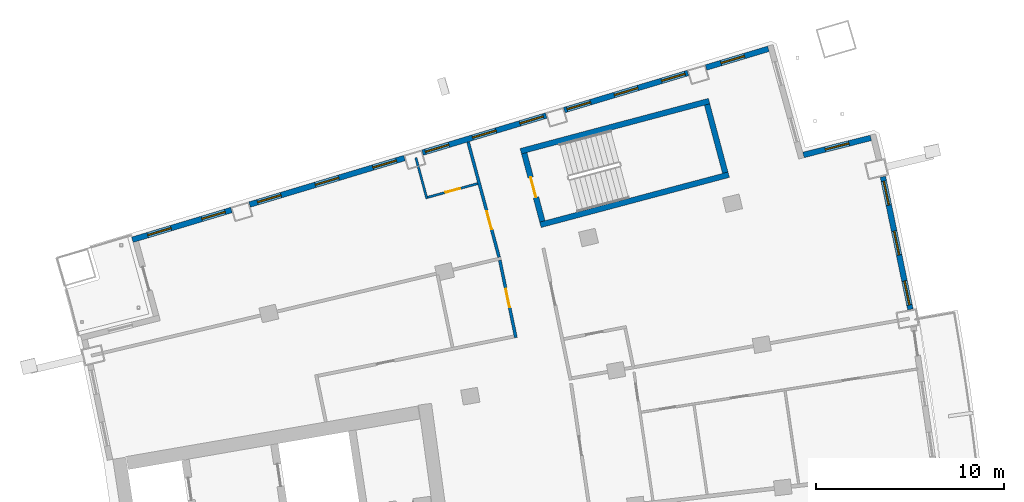
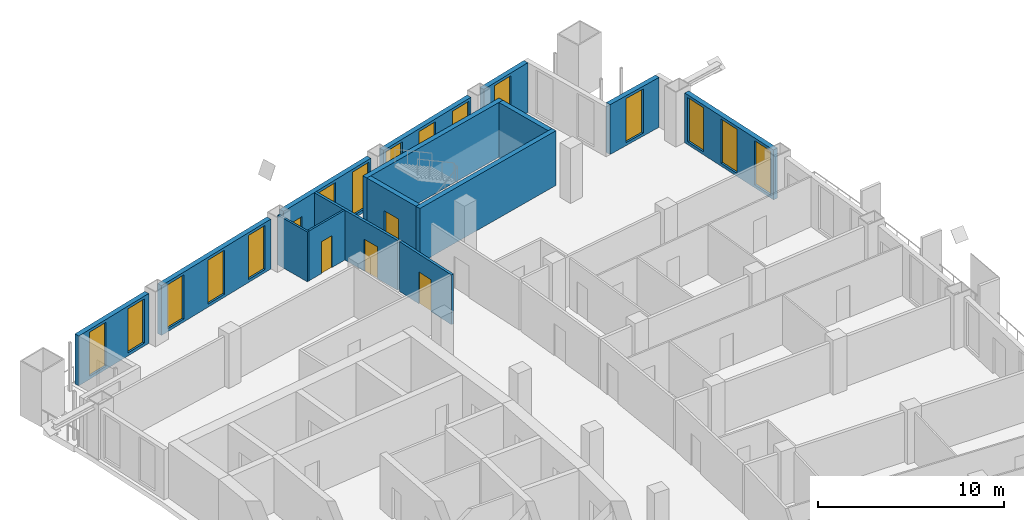
# One storey, part 16 of 20: 16 windows, 15 walls, 4 doors, 20 openings.
"""IFC4 building model written with IfcOpenShell, lengths in metres."""

from ifc_helpers import new_model, si_unit, direction, frame, frame_2d, origin, place, context, subcontext, project, spatial, rectangle, extrude, material, layer, layer_set, type_object, element, fill, save


model = new_model("IFC4")

# Units and contexts
model_context = context("Model", 3, precision=1e-05, world=origin(), true_north=direction((0.0, 1.0)))
body_context = subcontext(model_context, "Body", "Model", "MODEL_VIEW")
ifc_project = project(units=[si_unit("LENGTHUNIT", "METRE"), si_unit("AREAUNIT", "SQUARE_METRE"), si_unit("VOLUMEUNIT", "CUBIC_METRE"), si_unit("PLANEANGLEUNIT", "RADIAN"), si_unit("MASSUNIT", "GRAM", prefix="KILO")], contexts=[model_context])

# Site, building, storey
site_placement = place(None, origin())
site = spatial("IfcSite", under=ifc_project, at=site_placement, CompositionType="ELEMENT")
building_placement = place(site_placement, origin())
building = spatial("IfcBuilding", under=site, at=building_placement, Name="Alderwake Tower", CompositionType="ELEMENT")
storey_placement = place(building_placement, frame((0.0, 0.0, 167.60009765625)))
storey = spatial("IfcBuildingStorey", under=building, at=storey_placement, Name="L41", CompositionType="ELEMENT", Elevation=167.60009765625)

# Walls
ifc_material_1 = material(Name="Concrete C70/85", Category="concrete")
ifc_layer_1 = layer(ifc_material_1, 0.300048828125)
ifc_layer_set_1 = layer_set([ifc_layer_1], Name="Core wall stair enclosure 300 C70-85")
wall_type_1 = type_object("IfcWallType", Name="Core wall stair enclosure 300 C70-85", PredefinedType="SHEAR", material=ifc_layer_set_1)
for number, where, z_axis, x_axis, name in (
    (1, (36.71142578125, 94.182373046875, 0.0), (0.0, 0.0, 1.0), (0.966309214305, 0.257383958996, 0.0), "Core wall CW.082"),
    (2, (37.75390625, 90.268798828125, 0.0), (0.0, 0.0, 1.0), (0.966309214305, 0.257383958996, 0.0), "Core wall CW.084"),
):
    element("IfcWall", number, at=place(storey_placement, frame(where, z_axis=z_axis, x_axis=x_axis)), inside=storey, type_object=wall_type_1, Name=name, PredefinedType="SHEAR", context=body_context, shape_type="SweptSolid", body=[
        extrude(rectangle(XDim=10.360107421875, YDim=0.300048828125, at=frame_2d((5.18017578125, 0.0))), origin(), (0.0, 0.0, 1.0), 3.599853515625),
    ])

# Wall, opening, door
wall_1_placement = place(storey_placement, frame((37.8603515625, 90.452392578125, 0.0), z_axis=(0.0, 0.0, 1.0), x_axis=(-0.257411420208, 0.966301899381, 0.0)))
wall_1 = element("IfcWall", 3, at=wall_1_placement, inside=storey, type_object=wall_type_1, Name="Core wall CW.083", PredefinedType="SHEAR", context=body_context, shape_type="SweptSolid", body=[
    extrude(rectangle(XDim=3.750244140625, YDim=0.300048828125, at=frame_2d((1.875, 0.0))), origin(), (0.0, 0.0, 1.0), 3.599853515625),
])
opening_1_placement = place(wall_1_placement, frame((1.324951171875, 0.0, 0.0)))
opening_1 = element("IfcOpeningElement", 4, at=opening_1_placement, cuts=wall_1, Name="Opening C062", PredefinedType="OPENING", context=body_context, shape_type="SweptSolid", body=[
    extrude(rectangle(XDim=1.10009765625, YDim=2.10009765625, at=frame_2d((0.550048828125, 1.050048828125))), frame((0.0, 0.159912109375, 0.0), z_axis=(0.0, -1.0, 0.0), x_axis=(1.0, 0.0, 0.0)), (0.0, 0.0, 1.0), 0.320068359375),
])
ifc_material_2 = material(Name="Steel-framed fire door leaf", Category="steel")
door_type_1 = type_object("IfcDoorType", Name="Core stair door 1100 fire-rated", OperationType="SINGLE_SWING_LEFT", PredefinedType="DOOR", material=ifc_material_2)
door_1_placement = place(opening_1_placement, origin())
door_1 = element("IfcDoor", 5, at=door_1_placement, inside=storey, type_object=door_type_1, Name="Stair door", OperationType="SINGLE_SWING_LEFT", OverallHeight=2.10009765625, OverallWidth=1.10009765625, PredefinedType="DOOR", context=body_context, shape_type="SweptSolid", body=[
    extrude(rectangle(XDim=1.10009765625, YDim=2.10009765625, at=frame_2d((0.550048828125, 1.050048828125))), frame((0.0, 0.02490234375, 0.0), z_axis=(0.0, -1.0, 0.0), x_axis=(1.0, 0.0, 0.0)), (0.0, 0.0, 1.0), 0.050048828125),
])
fill(opening_1, door_1)

# Wall
wall_2_placement = place(storey_placement, frame((47.581298828125, 93.041748046875, 0.0), z_axis=(0.0, 0.0, 1.0), x_axis=(-0.257366821694, 0.966313778796, 0.0)))
element("IfcWall", 6, at=wall_2_placement, inside=storey, type_object=wall_type_1, Name="Core wall CW.081", PredefinedType="SHEAR", context=body_context, shape_type="SweptSolid", body=[
    extrude(rectangle(XDim=3.749755859375, YDim=0.300048828125, at=frame_2d((1.875, 0.0))), origin(), (0.0, 0.0, 1.0), 3.599853515625),
])

# Wall, opening, door
ifc_material_3 = material(Name="Gypsum board on metal studs, rated")
ifc_layer_2 = layer(ifc_material_3, 0.159912109375)
ifc_layer_set_2 = layer_set([ifc_layer_2], Name="Corridor wall 160")
wall_type_2 = type_object("IfcWallType", Name="Corridor wall 160", PredefinedType="PARTITIONING", material=ifc_layer_set_2)
wall_3_placement = place(storey_placement, frame((35.55908203125, 88.54736328125, 0.0), z_axis=(0.0, 0.0, 1.0), x_axis=(-0.259486497004, 0.965746735885, 0.0)))
wall_3 = element("IfcWall", 7, at=wall_3_placement, inside=storey, type_object=wall_type_2, Name="WL/L41/W15", PredefinedType="PARTITIONING", context=body_context, shape_type="SweptSolid", body=[
    extrude(rectangle(XDim=6.346923828125, YDim=0.159912109375, at=frame_2d((3.17333984375, 0.0))), origin(), (0.0, 0.0, 1.0), 3.27978515625),
])
opening_2_placement = place(wall_3_placement, frame((1.5380859375, 0.0, 0.0)))
opening_2 = element("IfcOpeningElement", 8, at=opening_2_placement, cuts=wall_3, Name="Opening R11-U10.1", PredefinedType="OPENING", context=body_context, shape_type="SweptSolid", body=[
    extrude(rectangle(XDim=1.0, YDim=2.10009765625, at=frame_2d((0.5, 1.050048828125))), frame((0.0, 0.08984375, 0.0), z_axis=(0.0, -1.0, 0.0), x_axis=(1.0, 0.0, 0.0)), (0.0, 0.0, 1.0), 0.179931640625),
])
ifc_material_4 = material(Name="Solid timber leaf in steel frame", Category="steel")
door_type_2 = type_object("IfcDoorType", Name="Flat entrance door 1000 fire-rated", OperationType="SINGLE_SWING_LEFT", PredefinedType="DOOR", material=ifc_material_4)
door_2_placement = place(opening_2_placement, origin())
door_2 = element("IfcDoor", 9, at=door_2_placement, inside=storey, type_object=door_type_2, Name="DR/L41/U10.1", OperationType="SINGLE_SWING_LEFT", OverallHeight=2.10009765625, OverallWidth=1.0, PredefinedType="DOOR", context=body_context, shape_type="SweptSolid", body=[
    extrude(rectangle(XDim=1.0, YDim=2.10009765625, at=frame_2d((0.5, 1.050048828125))), frame((0.0, 0.02490234375, 0.0), z_axis=(0.0, -1.0, 0.0), x_axis=(1.0, 0.0, 0.0)), (0.0, 0.0, 1.0), 0.050048828125),
])
fill(opening_2, door_2)

wall_4_placement = place(storey_placement, frame((36.451416015625, 84.272705078125, 0.0), z_axis=(0.0, 0.0, 1.0), x_axis=(-0.20329833965, 0.979116839348, 0.0)))
wall_4 = element("IfcWall", 10, at=wall_4_placement, inside=storey, type_object=wall_type_2, Name="WL/L41/W17", PredefinedType="PARTITIONING", context=body_context, shape_type="SweptSolid", body=[
    extrude(rectangle(XDim=4.206787109375, YDim=0.159912109375, at=frame_2d((2.103515625, 0.0))), origin(), (0.0, 0.0, 1.0), 3.27978515625),
])
opening_3_placement = place(wall_4_placement, frame((1.642822265625, 0.0, 0.0)))
opening_3 = element("IfcOpeningElement", 11, at=opening_3_placement, cuts=wall_4, Name="Opening R11-SBN2", PredefinedType="OPENING", context=body_context, shape_type="SweptSolid", body=[
    extrude(rectangle(XDim=1.0, YDim=2.10009765625, at=frame_2d((0.5, 1.050048828125))), frame((0.0, 0.08984375, 0.0), z_axis=(0.0, -1.0, 0.0), x_axis=(1.0, 0.0, 0.0)), (0.0, 0.0, 1.0), 0.179931640625),
])
ifc_material_5 = material(Name="Steel-framed fire door leaf", Category="steel")
door_type_3 = type_object("IfcDoorType", Name="Plant room door 1000 fire-rated", OperationType="SINGLE_SWING_LEFT", PredefinedType="DOOR", material=ifc_material_5)
door_3_placement = place(opening_3_placement, origin())
door_3 = element("IfcDoor", 12, at=door_3_placement, inside=storey, type_object=door_type_3, Name="DR/L41/SBN2", OperationType="SINGLE_SWING_LEFT", OverallHeight=2.10009765625, OverallWidth=1.0, PredefinedType="DOOR", context=body_context, shape_type="SweptSolid", body=[
    extrude(rectangle(XDim=1.0, YDim=2.10009765625, at=frame_2d((0.5, 1.050048828125))), frame((0.0, 0.02490234375, 0.0), z_axis=(0.0, -1.0, 0.0), x_axis=(1.0, 0.0, 0.0)), (0.0, 0.0, 1.0), 0.050048828125),
])
fill(opening_3, door_3)

# Wall, openings, windows
ifc_material_6 = material(Name="Precast concrete C50/60 spandrel panel", Category="concrete")
ifc_layer_3 = layer(ifc_material_6, 0.300048828125)
ifc_layer_set_3 = layer_set([ifc_layer_3], Name="External wall EW1 Precast concrete C50/60 spandrel")
wall_type_3 = type_object("IfcWallType", Name="External wall EW1 Precast concrete C50/60 spandrel", PredefinedType="SOLIDWALL", material=ifc_layer_set_3)
wall_5_placement = place(storey_placement, frame((57.421142578125, 85.777587890625, 0.0), z_axis=(0.0, 0.0, 1.0), x_axis=(-0.202737932552, 0.97923303187, 0.0)))
wall_5 = element("IfcWall", 13, at=wall_5_placement, inside=storey, type_object=wall_type_3, Name="External wall 19", PredefinedType="SOLIDWALL", context=body_context, shape_type="SweptSolid", body=[
    extrude(rectangle(XDim=7.19873046875, YDim=0.300048828125, at=frame_2d((3.599365234375, 0.0))), origin(), (0.0, 0.0, 1.0), 3.27978515625),
])
opening_4_placement = place(wall_5_placement, frame((0.2392578125, 0.0, 0.199951171875)))
opening_4 = element("IfcOpeningElement", 14, at=opening_4_placement, cuts=wall_5, Name="Opening W1", PredefinedType="OPENING", context=body_context, shape_type="SweptSolid", body=[
    extrude(rectangle(XDim=1.300048828125, YDim=2.89990234375, at=frame_2d((0.64990234375, 1.449951171875))), frame((0.0, 0.159912109375, 0.0), z_axis=(0.0, -1.0, 0.0), x_axis=(1.0, 0.0, 0.0)), (0.0, 0.0, 1.0), 0.320068359375),
])
opening_5_placement = place(wall_5_placement, frame((2.949462890625, 0.0, 0.199951171875)))
opening_5 = element("IfcOpeningElement", 15, at=opening_5_placement, cuts=wall_5, Name="Opening W1", PredefinedType="OPENING", context=body_context, shape_type="SweptSolid", body=[
    extrude(rectangle(XDim=1.300048828125, YDim=2.89990234375, at=frame_2d((0.64990234375, 1.449951171875))), frame((0.0, 0.159912109375, 0.0), z_axis=(0.0, -1.0, 0.0), x_axis=(1.0, 0.0, 0.0)), (0.0, 0.0, 1.0), 0.320068359375),
])
opening_6_placement = place(wall_5_placement, frame((5.659423828125, 0.0, 0.199951171875)))
opening_6 = element("IfcOpeningElement", 16, at=opening_6_placement, cuts=wall_5, Name="Opening W1", PredefinedType="OPENING", context=body_context, shape_type="SweptSolid", body=[
    extrude(rectangle(XDim=1.300048828125, YDim=2.89990234375, at=frame_2d((0.64990234375, 1.449951171875))), frame((0.0, 0.159912109375, 0.0), z_axis=(0.0, -1.0, 0.0), x_axis=(1.0, 0.0, 0.0)), (0.0, 0.0, 1.0), 0.320068359375),
])
ifc_material_7 = material(Name="Bronze tinted glass in aluminium frame", Category="aluminium")
window_type_1 = type_object("IfcWindowType", Name="Window W1 tall fixed and vent", PartitioningType="DOUBLE_PANEL_VERTICAL", PredefinedType="WINDOW", material=ifc_material_7)
window_1_placement = place(opening_4_placement, origin())
window_1 = element("IfcWindow", 17, at=window_1_placement, inside=storey, type_object=window_type_1, Name="Window W1 tall fixed and vent", OverallHeight=2.89990234375, OverallWidth=1.300048828125, PartitioningType="DOUBLE_PANEL_VERTICAL", PredefinedType="WINDOW", context=body_context, shape_type="SweptSolid", body=[
    extrude(rectangle(XDim=1.300048828125, YDim=2.89990234375, at=frame_2d((0.64990234375, 1.449951171875))), frame((0.0, 0.030029296875, 0.0), z_axis=(0.0, -1.0, 0.0), x_axis=(1.0, 0.0, 0.0)), (0.0, 0.0, 1.0), 0.06005859375),
])
fill(opening_4, window_1)
window_2_placement = place(opening_5_placement, origin())
window_2 = element("IfcWindow", 18, at=window_2_placement, inside=storey, type_object=window_type_1, Name="Window W1 tall fixed and vent", OverallHeight=2.89990234375, OverallWidth=1.300048828125, PartitioningType="DOUBLE_PANEL_VERTICAL", PredefinedType="WINDOW", context=body_context, shape_type="SweptSolid", body=[
    extrude(rectangle(XDim=1.300048828125, YDim=2.89990234375, at=frame_2d((0.64990234375, 1.449951171875))), frame((0.0, 0.030029296875, 0.0), z_axis=(0.0, -1.0, 0.0), x_axis=(1.0, 0.0, 0.0)), (0.0, 0.0, 1.0), 0.06005859375),
])
fill(opening_5, window_2)
window_3_placement = place(opening_6_placement, origin())
window_3 = element("IfcWindow", 19, at=window_3_placement, inside=storey, type_object=window_type_1, Name="Window W1 tall fixed and vent", OverallHeight=2.89990234375, OverallWidth=1.300048828125, PartitioningType="DOUBLE_PANEL_VERTICAL", PredefinedType="WINDOW", context=body_context, shape_type="SweptSolid", body=[
    extrude(rectangle(XDim=1.300048828125, YDim=2.89990234375, at=frame_2d((0.64990234375, 1.449951171875))), frame((0.0, 0.030029296875, 0.0), z_axis=(0.0, -1.0, 0.0), x_axis=(1.0, 0.0, 0.0)), (0.0, 0.0, 1.0), 0.06005859375),
])
fill(opening_6, window_3)

# Wall, opening, window
ifc_material_8 = material(Name="Bronze metal cladding on lightweight framing")
ifc_layer_4 = layer(ifc_material_8, 0.300048828125)
ifc_layer_set_4 = layer_set([ifc_layer_4], Name="External wall EW2 bronze metal cladding")
wall_type_4 = type_object("IfcWallType", Name="External wall EW2 bronze metal cladding", PredefinedType="SOLIDWALL", material=ifc_layer_set_4)
wall_6_placement = place(storey_placement, frame((55.318359375, 94.891357421875, 0.0), z_axis=(0.0, 0.0, 1.0), x_axis=(-0.96941119971, -0.245442306614, 0.0)))
wall_6 = element("IfcWall", 20, at=wall_6_placement, inside=storey, type_object=wall_type_4, Name="External wall 21", PredefinedType="SOLIDWALL", context=body_context, shape_type="SweptSolid", body=[
    extrude(rectangle(XDim=3.6943359375, YDim=0.300048828125, at=frame_2d((1.84716796875, 0.0))), origin(), (0.0, 0.0, 1.0), 3.27978515625),
])
opening_7_placement = place(wall_6_placement, frame((1.197021484375, 0.0, 0.199951171875)))
opening_7 = element("IfcOpeningElement", 21, at=opening_7_placement, cuts=wall_6, Name="Opening W1", PredefinedType="OPENING", context=body_context, shape_type="SweptSolid", body=[
    extrude(rectangle(XDim=1.300048828125, YDim=2.89990234375, at=frame_2d((0.64990234375, 1.449951171875))), frame((0.0, 0.159912109375, 0.0), z_axis=(0.0, -1.0, 0.0), x_axis=(1.0, 0.0, 0.0)), (0.0, 0.0, 1.0), 0.320068359375),
])
window_4_placement = place(opening_7_placement, origin())
window_4 = element("IfcWindow", 22, at=window_4_placement, inside=storey, type_object=window_type_1, Name="Window W1 tall fixed and vent", OverallHeight=2.89990234375, OverallWidth=1.300048828125, PartitioningType="DOUBLE_PANEL_VERTICAL", PredefinedType="WINDOW", context=body_context, shape_type="SweptSolid", body=[
    extrude(rectangle(XDim=1.300048828125, YDim=2.89990234375, at=frame_2d((0.64990234375, 1.449951171875))), frame((0.0, 0.030029296875, 0.0), z_axis=(0.0, -1.0, 0.0), x_axis=(1.0, 0.0, 0.0)), (0.0, 0.0, 1.0), 0.06005859375),
])
fill(opening_7, window_4)

wall_7_placement = place(storey_placement, frame((49.874755859375, 99.626708984375, 0.0), z_axis=(0.0, 0.0, 1.0), x_axis=(-0.957758344501, -0.287574257433, 0.0)))
wall_7 = element("IfcWall", 23, at=wall_7_placement, inside=storey, type_object=wall_type_4, Name="External wall 23", PredefinedType="SOLIDWALL", context=body_context, shape_type="SweptSolid", body=[
    extrude(rectangle(XDim=3.462890625, YDim=0.300048828125, at=frame_2d((1.7314453125, 0.0))), origin(), (0.0, 0.0, 1.0), 3.27978515625),
])
opening_8_placement = place(wall_7_placement, frame((1.33251953125, 0.0, 0.199951171875)))
opening_8 = element("IfcOpeningElement", 24, at=opening_8_placement, cuts=wall_7, Name="Opening W1", PredefinedType="OPENING", context=body_context, shape_type="SweptSolid", body=[
    extrude(rectangle(XDim=1.300048828125, YDim=2.89990234375, at=frame_2d((0.64990234375, 1.449951171875))), frame((0.0, 0.159912109375, 0.0), z_axis=(0.0, -1.0, 0.0), x_axis=(1.0, 0.0, 0.0)), (0.0, 0.0, 1.0), 0.320068359375),
])
window_5_placement = place(opening_8_placement, origin())
window_5 = element("IfcWindow", 25, at=window_5_placement, inside=storey, type_object=window_type_1, Name="Window W1 tall fixed and vent", OverallHeight=2.89990234375, OverallWidth=1.300048828125, PartitioningType="DOUBLE_PANEL_VERTICAL", PredefinedType="WINDOW", context=body_context, shape_type="SweptSolid", body=[
    extrude(rectangle(XDim=1.300048828125, YDim=2.89990234375, at=frame_2d((0.64990234375, 1.449951171875))), frame((0.0, 0.030029296875, 0.0), z_axis=(0.0, -1.0, 0.0), x_axis=(1.0, 0.0, 0.0)), (0.0, 0.0, 1.0), 0.06005859375),
])
fill(opening_8, window_5)

# Wall, openings, windows
wall_8_placement = place(storey_placement, frame((45.5966796875, 98.34228515625, 0.0), z_axis=(0.0, 0.0, 1.0), x_axis=(-0.957766538893, -0.287546964821, 0.0)))
wall_8 = element("IfcWall", 26, at=wall_8_placement, inside=storey, type_object=wall_type_4, Name="External wall 24", PredefinedType="SOLIDWALL", context=body_context, shape_type="SweptSolid", body=[
    extrude(rectangle(XDim=6.86279296875, YDim=0.300048828125, at=frame_2d((3.431396484375, 0.0))), origin(), (0.0, 0.0, 1.0), 3.27978515625),
])
opening_9_placement = place(wall_8_placement, frame((0.1591796875, 0.0, 0.199951171875)))
opening_9 = element("IfcOpeningElement", 27, at=opening_9_placement, cuts=wall_8, Name="Opening W1", PredefinedType="OPENING", context=body_context, shape_type="SweptSolid", body=[
    extrude(rectangle(XDim=1.300048828125, YDim=2.89990234375, at=frame_2d((0.64990234375, 1.449951171875))), frame((0.0, 0.159912109375, 0.0), z_axis=(0.0, -1.0, 0.0), x_axis=(1.0, 0.0, 0.0)), (0.0, 0.0, 1.0), 0.320068359375),
])
opening_10_placement = place(wall_8_placement, frame((2.781494140625, 0.0, 0.199951171875)))
opening_10 = element("IfcOpeningElement", 28, at=opening_10_placement, cuts=wall_8, Name="Opening W1", PredefinedType="OPENING", context=body_context, shape_type="SweptSolid", body=[
    extrude(rectangle(XDim=1.300048828125, YDim=2.89990234375, at=frame_2d((0.64990234375, 1.449951171875))), frame((0.0, 0.159912109375, 0.0), z_axis=(0.0, -1.0, 0.0), x_axis=(1.0, 0.0, 0.0)), (0.0, 0.0, 1.0), 0.320068359375),
])
opening_11_placement = place(wall_8_placement, frame((5.40380859375, 0.0, 0.199951171875)))
opening_11 = element("IfcOpeningElement", 29, at=opening_11_placement, cuts=wall_8, Name="Opening W1", PredefinedType="OPENING", context=body_context, shape_type="SweptSolid", body=[
    extrude(rectangle(XDim=1.300048828125, YDim=2.89990234375, at=frame_2d((0.64990234375, 1.449951171875))), frame((0.0, 0.159912109375, 0.0), z_axis=(0.0, -1.0, 0.0), x_axis=(1.0, 0.0, 0.0)), (0.0, 0.0, 1.0), 0.320068359375),
])
window_6_placement = place(opening_9_placement, origin())
window_6 = element("IfcWindow", 30, at=window_6_placement, inside=storey, type_object=window_type_1, Name="Window W1 tall fixed and vent", OverallHeight=2.89990234375, OverallWidth=1.300048828125, PartitioningType="DOUBLE_PANEL_VERTICAL", PredefinedType="WINDOW", context=body_context, shape_type="SweptSolid", body=[
    extrude(rectangle(XDim=1.300048828125, YDim=2.89990234375, at=frame_2d((0.64990234375, 1.449951171875))), frame((0.0, 0.030029296875, 0.0), z_axis=(0.0, -1.0, 0.0), x_axis=(1.0, 0.0, 0.0)), (0.0, 0.0, 1.0), 0.06005859375),
])
fill(opening_9, window_6)
window_7_placement = place(opening_10_placement, origin())
window_7 = element("IfcWindow", 31, at=window_7_placement, inside=storey, type_object=window_type_1, Name="Window W1 tall fixed and vent", OverallHeight=2.89990234375, OverallWidth=1.300048828125, PartitioningType="DOUBLE_PANEL_VERTICAL", PredefinedType="WINDOW", context=body_context, shape_type="SweptSolid", body=[
    extrude(rectangle(XDim=1.300048828125, YDim=2.89990234375, at=frame_2d((0.64990234375, 1.449951171875))), frame((0.0, 0.030029296875, 0.0), z_axis=(0.0, -1.0, 0.0), x_axis=(1.0, 0.0, 0.0)), (0.0, 0.0, 1.0), 0.06005859375),
])
fill(opening_10, window_7)
window_8_placement = place(opening_11_placement, origin())
window_8 = element("IfcWindow", 32, at=window_8_placement, inside=storey, type_object=window_type_1, Name="Window W1 tall fixed and vent", OverallHeight=2.89990234375, OverallWidth=1.300048828125, PartitioningType="DOUBLE_PANEL_VERTICAL", PredefinedType="WINDOW", context=body_context, shape_type="SweptSolid", body=[
    extrude(rectangle(XDim=1.300048828125, YDim=2.89990234375, at=frame_2d((0.64990234375, 1.449951171875))), frame((0.0, 0.030029296875, 0.0), z_axis=(0.0, -1.0, 0.0), x_axis=(1.0, 0.0, 0.0)), (0.0, 0.0, 1.0), 0.06005859375),
])
fill(opening_11, window_8)

wall_9_placement = place(storey_placement, frame((38.062255859375, 96.080078125, 0.0), z_axis=(0.0, 0.0, 1.0), x_axis=(-0.957776335697, -0.287514331431, 0.0)))
wall_9 = element("IfcWall", 33, at=wall_9_placement, inside=storey, type_object=wall_type_4, Name="External wall 25", PredefinedType="SOLIDWALL", context=body_context, shape_type="SweptSolid", body=[
    extrude(rectangle(XDim=6.86279296875, YDim=0.300048828125, at=frame_2d((3.431396484375, 0.0))), origin(), (0.0, 0.0, 1.0), 3.27978515625),
])
opening_12_placement = place(wall_9_placement, frame((0.1591796875, 0.0, 0.199951171875)))
opening_12 = element("IfcOpeningElement", 34, at=opening_12_placement, cuts=wall_9, Name="Opening W1", PredefinedType="OPENING", context=body_context, shape_type="SweptSolid", body=[
    extrude(rectangle(XDim=1.300048828125, YDim=2.89990234375, at=frame_2d((0.64990234375, 1.449951171875))), frame((0.0, 0.159912109375, 0.0), z_axis=(0.0, -1.0, 0.0), x_axis=(1.0, 0.0, 0.0)), (0.0, 0.0, 1.0), 0.320068359375),
])
opening_13_placement = place(wall_9_placement, frame((2.781494140625, 0.0, 0.199951171875)))
opening_13 = element("IfcOpeningElement", 35, at=opening_13_placement, cuts=wall_9, Name="Opening W1", PredefinedType="OPENING", context=body_context, shape_type="SweptSolid", body=[
    extrude(rectangle(XDim=1.300048828125, YDim=2.89990234375, at=frame_2d((0.64990234375, 1.449951171875))), frame((0.0, 0.159912109375, 0.0), z_axis=(0.0, -1.0, 0.0), x_axis=(1.0, 0.0, 0.0)), (0.0, 0.0, 1.0), 0.320068359375),
])
opening_14_placement = place(wall_9_placement, frame((5.40380859375, 0.0, 1.0)))
opening_14 = element("IfcOpeningElement", 36, at=opening_14_placement, cuts=wall_9, Name="Opening W2", PredefinedType="OPENING", context=body_context, shape_type="SweptSolid", body=[
    extrude(rectangle(XDim=1.300048828125, YDim=1.199951171875, at=frame_2d((0.64990234375, 0.60009765625))), frame((0.0, 0.159912109375, 0.0), z_axis=(0.0, -1.0, 0.0), x_axis=(1.0, 0.0, 0.0)), (0.0, 0.0, 1.0), 0.320068359375),
])
window_9_placement = place(opening_12_placement, origin())
window_9 = element("IfcWindow", 37, at=window_9_placement, inside=storey, type_object=window_type_1, Name="Window W1 tall fixed and vent", OverallHeight=2.89990234375, OverallWidth=1.300048828125, PartitioningType="DOUBLE_PANEL_VERTICAL", PredefinedType="WINDOW", context=body_context, shape_type="SweptSolid", body=[
    extrude(rectangle(XDim=1.300048828125, YDim=2.89990234375, at=frame_2d((0.64990234375, 1.449951171875))), frame((0.0, 0.030029296875, 0.0), z_axis=(0.0, -1.0, 0.0), x_axis=(1.0, 0.0, 0.0)), (0.0, 0.0, 1.0), 0.06005859375),
])
fill(opening_12, window_9)
window_10_placement = place(opening_13_placement, origin())
window_10 = element("IfcWindow", 38, at=window_10_placement, inside=storey, type_object=window_type_1, Name="Window W1 tall fixed and vent", OverallHeight=2.89990234375, OverallWidth=1.300048828125, PartitioningType="DOUBLE_PANEL_VERTICAL", PredefinedType="WINDOW", context=body_context, shape_type="SweptSolid", body=[
    extrude(rectangle(XDim=1.300048828125, YDim=2.89990234375, at=frame_2d((0.64990234375, 1.449951171875))), frame((0.0, 0.030029296875, 0.0), z_axis=(0.0, -1.0, 0.0), x_axis=(1.0, 0.0, 0.0)), (0.0, 0.0, 1.0), 0.06005859375),
])
fill(opening_13, window_10)
ifc_material_9 = material(Name="Bronze tinted glass in aluminium frame", Category="aluminium")
window_type_2 = type_object("IfcWindowType", Name="Window W2 kitchen and bath", PartitioningType="SINGLE_PANEL", PredefinedType="WINDOW", material=ifc_material_9)
window_11_placement = place(opening_14_placement, origin())
window_11 = element("IfcWindow", 39, at=window_11_placement, inside=storey, type_object=window_type_2, Name="Window W2 kitchen and bath", OverallHeight=1.199951171875, OverallWidth=1.300048828125, PartitioningType="SINGLE_PANEL", PredefinedType="WINDOW", context=body_context, shape_type="SweptSolid", body=[
    extrude(rectangle(XDim=1.300048828125, YDim=1.199951171875, at=frame_2d((0.64990234375, 0.60009765625))), frame((0.0, 0.030029296875, 0.0), z_axis=(0.0, -1.0, 0.0), x_axis=(1.0, 0.0, 0.0)), (0.0, 0.0, 1.0), 0.06005859375),
])
fill(opening_14, window_11)

wall_10_placement = place(storey_placement, frame((30.527587890625, 93.818115234375, 0.0), z_axis=(0.0, 0.0, 1.0), x_axis=(-0.957768419769, -0.287540699891, 0.0)))
wall_10 = element("IfcWall", 40, at=wall_10_placement, inside=storey, type_object=wall_type_4, Name="External wall 26", PredefinedType="SOLIDWALL", context=body_context, shape_type="SweptSolid", body=[
    extrude(rectangle(XDim=8.595947265625, YDim=0.300048828125, at=frame_2d((4.2978515625, 0.0))), origin(), (0.0, 0.0, 1.0), 3.27978515625),
])
opening_15_placement = place(wall_10_placement, frame((0.447998046875, 0.0, 0.199951171875)))
opening_15 = element("IfcOpeningElement", 41, at=opening_15_placement, cuts=wall_10, Name="Opening W1", PredefinedType="OPENING", context=body_context, shape_type="SweptSolid", body=[
    extrude(rectangle(XDim=1.300048828125, YDim=2.89990234375, at=frame_2d((0.64990234375, 1.449951171875))), frame((0.0, 0.159912109375, 0.0), z_axis=(0.0, -1.0, 0.0), x_axis=(1.0, 0.0, 0.0)), (0.0, 0.0, 1.0), 0.320068359375),
])
opening_16_placement = place(wall_10_placement, frame((3.64794921875, 0.0, 0.199951171875)))
opening_16 = element("IfcOpeningElement", 42, at=opening_16_placement, cuts=wall_10, Name="Opening W1", PredefinedType="OPENING", context=body_context, shape_type="SweptSolid", body=[
    extrude(rectangle(XDim=1.300048828125, YDim=2.89990234375, at=frame_2d((0.64990234375, 1.449951171875))), frame((0.0, 0.159912109375, 0.0), z_axis=(0.0, -1.0, 0.0), x_axis=(1.0, 0.0, 0.0)), (0.0, 0.0, 1.0), 0.320068359375),
])
opening_17_placement = place(wall_10_placement, frame((6.84814453125, 0.0, 0.199951171875)))
opening_17 = element("IfcOpeningElement", 43, at=opening_17_placement, cuts=wall_10, Name="Opening W1", PredefinedType="OPENING", context=body_context, shape_type="SweptSolid", body=[
    extrude(rectangle(XDim=1.300048828125, YDim=2.89990234375, at=frame_2d((0.64990234375, 1.449951171875))), frame((0.0, 0.159912109375, 0.0), z_axis=(0.0, -1.0, 0.0), x_axis=(1.0, 0.0, 0.0)), (0.0, 0.0, 1.0), 0.320068359375),
])
window_12_placement = place(opening_15_placement, origin())
window_12 = element("IfcWindow", 44, at=window_12_placement, inside=storey, type_object=window_type_1, Name="Window W1 tall fixed and vent", OverallHeight=2.89990234375, OverallWidth=1.300048828125, PartitioningType="DOUBLE_PANEL_VERTICAL", PredefinedType="WINDOW", context=body_context, shape_type="SweptSolid", body=[
    extrude(rectangle(XDim=1.300048828125, YDim=2.89990234375, at=frame_2d((0.64990234375, 1.449951171875))), frame((0.0, 0.030029296875, 0.0), z_axis=(0.0, -1.0, 0.0), x_axis=(1.0, 0.0, 0.0)), (0.0, 0.0, 1.0), 0.06005859375),
])
fill(opening_15, window_12)
window_13_placement = place(opening_16_placement, origin())
window_13 = element("IfcWindow", 45, at=window_13_placement, inside=storey, type_object=window_type_1, Name="Window W1 tall fixed and vent", OverallHeight=2.89990234375, OverallWidth=1.300048828125, PartitioningType="DOUBLE_PANEL_VERTICAL", PredefinedType="WINDOW", context=body_context, shape_type="SweptSolid", body=[
    extrude(rectangle(XDim=1.300048828125, YDim=2.89990234375, at=frame_2d((0.64990234375, 1.449951171875))), frame((0.0, 0.030029296875, 0.0), z_axis=(0.0, -1.0, 0.0), x_axis=(1.0, 0.0, 0.0)), (0.0, 0.0, 1.0), 0.06005859375),
])
fill(opening_16, window_13)
window_14_placement = place(opening_17_placement, origin())
window_14 = element("IfcWindow", 46, at=window_14_placement, inside=storey, type_object=window_type_1, Name="Window W1 tall fixed and vent", OverallHeight=2.89990234375, OverallWidth=1.300048828125, PartitioningType="DOUBLE_PANEL_VERTICAL", PredefinedType="WINDOW", context=body_context, shape_type="SweptSolid", body=[
    extrude(rectangle(XDim=1.300048828125, YDim=2.89990234375, at=frame_2d((0.64990234375, 1.449951171875))), frame((0.0, 0.030029296875, 0.0), z_axis=(0.0, -1.0, 0.0), x_axis=(1.0, 0.0, 0.0)), (0.0, 0.0, 1.0), 0.06005859375),
])
fill(opening_17, window_14)

wall_11_placement = place(storey_placement, frame((21.332763671875, 91.0576171875, 0.0), z_axis=(0.0, 0.0, 1.0), x_axis=(-0.957767615614, -0.287543378434, 0.0)))
wall_11 = element("IfcWall", 47, at=wall_11_placement, inside=storey, type_object=wall_type_4, Name="External wall 27", PredefinedType="SOLIDWALL", context=body_context, shape_type="SweptSolid", body=[
    extrude(rectangle(XDim=5.499267578125, YDim=0.300048828125, at=frame_2d((2.74951171875, 0.0))), origin(), (0.0, 0.0, 1.0), 3.27978515625),
])
opening_18_placement = place(wall_11_placement, frame((0.34814453125, 0.0, 0.199951171875)))
opening_18 = element("IfcOpeningElement", 48, at=opening_18_placement, cuts=wall_11, Name="Opening W1", PredefinedType="OPENING", context=body_context, shape_type="SweptSolid", body=[
    extrude(rectangle(XDim=1.300048828125, YDim=2.89990234375, at=frame_2d((0.64990234375, 1.449951171875))), frame((0.0, 0.159912109375, 0.0), z_axis=(0.0, -1.0, 0.0), x_axis=(1.0, 0.0, 0.0)), (0.0, 0.0, 1.0), 0.320068359375),
])
opening_19_placement = place(wall_11_placement, frame((3.34912109375, 0.0, 0.199951171875)))
opening_19 = element("IfcOpeningElement", 49, at=opening_19_placement, cuts=wall_11, Name="Opening W1", PredefinedType="OPENING", context=body_context, shape_type="SweptSolid", body=[
    extrude(rectangle(XDim=1.300048828125, YDim=2.89990234375, at=frame_2d((0.64990234375, 1.449951171875))), frame((0.0, 0.159912109375, 0.0), z_axis=(0.0, -1.0, 0.0), x_axis=(1.0, 0.0, 0.0)), (0.0, 0.0, 1.0), 0.320068359375),
])
window_15_placement = place(opening_18_placement, origin())
window_15 = element("IfcWindow", 50, at=window_15_placement, inside=storey, type_object=window_type_1, Name="Window W1 tall fixed and vent", OverallHeight=2.89990234375, OverallWidth=1.300048828125, PartitioningType="DOUBLE_PANEL_VERTICAL", PredefinedType="WINDOW", context=body_context, shape_type="SweptSolid", body=[
    extrude(rectangle(XDim=1.300048828125, YDim=2.89990234375, at=frame_2d((0.64990234375, 1.449951171875))), frame((0.0, 0.030029296875, 0.0), z_axis=(0.0, -1.0, 0.0), x_axis=(1.0, 0.0, 0.0)), (0.0, 0.0, 1.0), 0.06005859375),
])
fill(opening_18, window_15)
window_16_placement = place(opening_19_placement, origin())
window_16 = element("IfcWindow", 51, at=window_16_placement, inside=storey, type_object=window_type_1, Name="Window W1 tall fixed and vent", OverallHeight=2.89990234375, OverallWidth=1.300048828125, PartitioningType="DOUBLE_PANEL_VERTICAL", PredefinedType="WINDOW", context=body_context, shape_type="SweptSolid", body=[
    extrude(rectangle(XDim=1.300048828125, YDim=2.89990234375, at=frame_2d((0.64990234375, 1.449951171875))), frame((0.0, 0.030029296875, 0.0), z_axis=(0.0, -1.0, 0.0), x_axis=(1.0, 0.0, 0.0)), (0.0, 0.0, 1.0), 0.06005859375),
])
fill(opening_19, window_16)

# Wall
ifc_material_10 = material(Name="Moisture resistant gypsum board on metal studs")
ifc_layer_5 = layer(ifc_material_10, 0.1201171875)
ifc_layer_set_5 = layer_set([ifc_layer_5], Name="Wet room partition 120")
wall_type_5 = type_object("IfcWallType", Name="Wet room partition 120", PredefinedType="PARTITIONING", material=ifc_layer_set_5)
wall_12_placement = place(storey_placement, frame((31.134033203125, 93.843017578125, 0.0), z_axis=(0.0, 0.0, 1.0), x_axis=(0.260139854323, -0.965570948296, 0.0)))
element("IfcWall", 52, at=wall_12_placement, inside=storey, type_object=wall_type_5, Name="WL/L41/W29", PredefinedType="PARTITIONING", context=body_context, shape_type="SweptSolid", body=[
    extrude(rectangle(XDim=2.2626953125, YDim=0.1201171875, at=frame_2d((1.13134765625, 0.0))), origin(), (0.0, 0.0, 1.0), 3.27978515625),
])

# Wall, opening, door
wall_13_placement = place(storey_placement, frame((31.764892578125, 91.73193359375, 0.0), z_axis=(0.0, 0.0, 1.0), x_axis=(0.964278304966, 0.264891205163, 0.0)))
wall_13 = element("IfcWall", 53, at=wall_13_placement, inside=storey, type_object=wall_type_5, Name="WL/L41/W31", PredefinedType="PARTITIONING", context=body_context, shape_type="SweptSolid", body=[
    extrude(rectangle(XDim=2.759521484375, YDim=0.1201171875, at=frame_2d((1.3798828125, 0.0))), origin(), (0.0, 0.0, 1.0), 3.27978515625),
])
opening_20_placement = place(wall_13_placement, frame((0.979736328125, 0.0, 0.0)))
opening_20 = element("IfcOpeningElement", 54, at=opening_20_placement, cuts=wall_13, Name="Opening R11-U10.2", PredefinedType="OPENING", context=body_context, shape_type="SweptSolid", body=[
    extrude(rectangle(XDim=0.800048828125, YDim=2.10009765625, at=frame_2d((0.39990234375, 1.050048828125))), frame((0.0, 0.070068359375, 0.0), z_axis=(0.0, -1.0, 0.0), x_axis=(1.0, 0.0, 0.0)), (0.0, 0.0, 1.0), 0.14013671875),
])
ifc_material_11 = material(Name="Painted timber leaf", Category="wood")
door_type_4 = type_object("IfcDoorType", Name="Bathroom door 800", OperationType="SINGLE_SWING_LEFT", PredefinedType="DOOR", material=ifc_material_11)
door_4_placement = place(opening_20_placement, origin())
door_4 = element("IfcDoor", 55, at=door_4_placement, inside=storey, type_object=door_type_4, Name="DR/L41/U10.2", OperationType="SINGLE_SWING_LEFT", OverallHeight=2.10009765625, OverallWidth=0.800048828125, PredefinedType="DOOR", context=body_context, shape_type="SweptSolid", body=[
    extrude(rectangle(XDim=0.800048828125, YDim=2.10009765625, at=frame_2d((0.39990234375, 1.050048828125))), frame((0.0, 0.02490234375, 0.0), z_axis=(0.0, -1.0, 0.0), x_axis=(1.0, 0.0, 0.0)), (0.0, 0.0, 1.0), 0.050048828125),
])
fill(opening_20, door_4)

save(model, "model.ifc")
